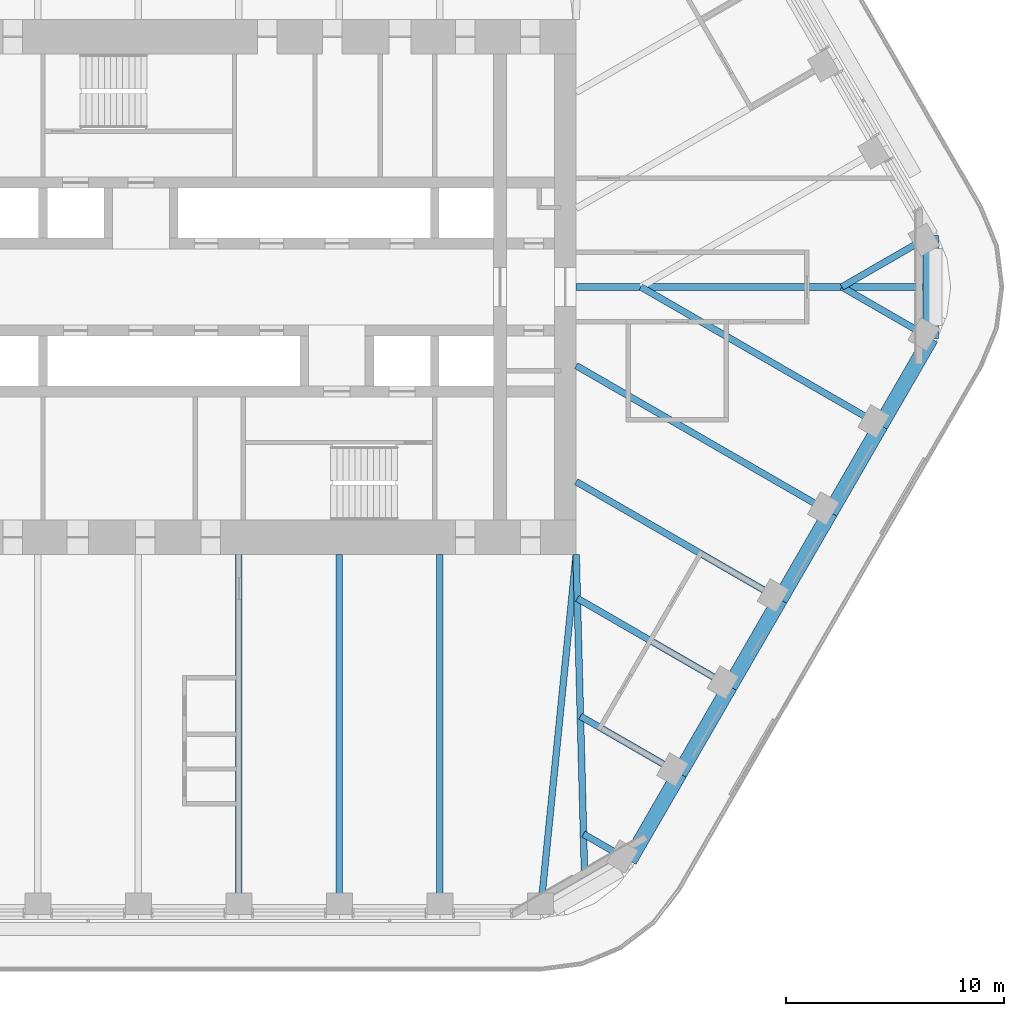
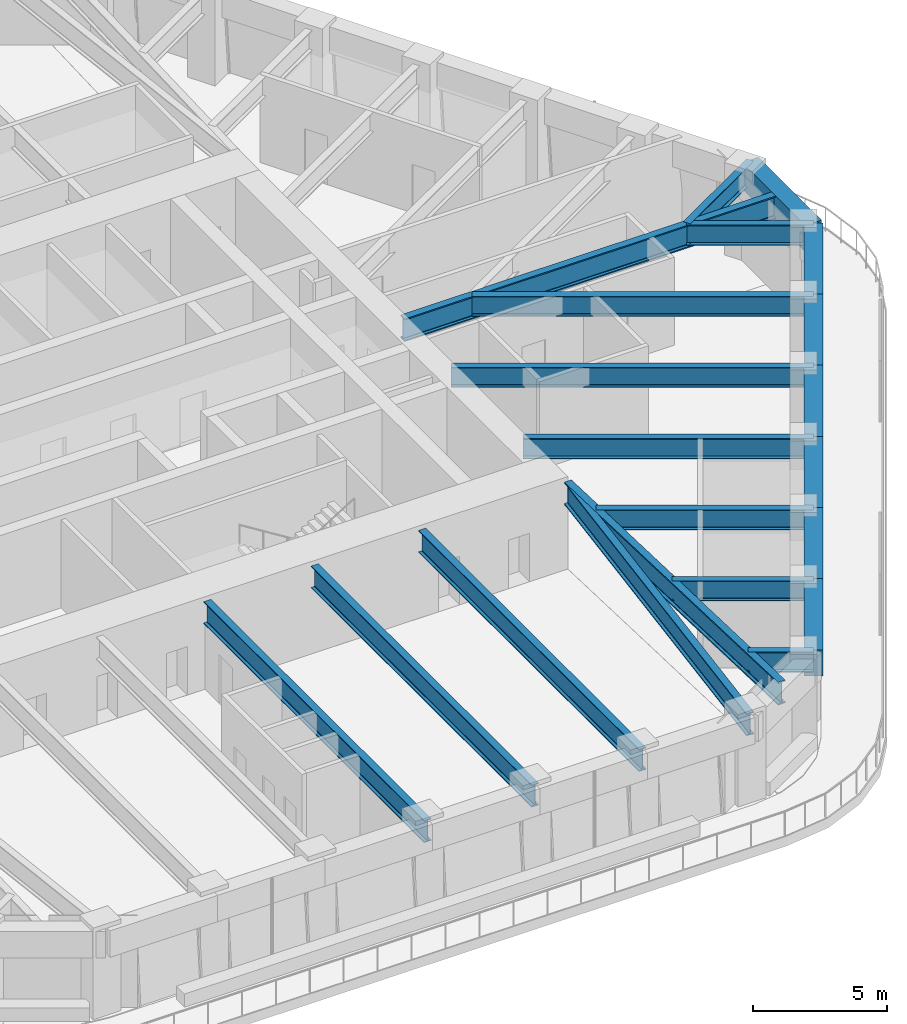
# One storey, part 5 of 20: 21 beams.
"""IFC4 building model written with IfcOpenShell, lengths in metres."""

import ifcopenshell
import ifcopenshell.guid

model = None  # the IFC model being written
_history = None  # IfcOwnerHistory: only IFC2X3 demands one
_inside = {}  # id of a spatial element -> (the spatial element, [elements in it])
_under = {}  # id of a project, library or spatial element -> (it, [spatial elements below it])
_declared = {}  # id of a project -> (the project, [libraries it declares])
_typed = {}  # id of a type object -> (the type object, [elements of that type])
_made_of = {}  # id of a material, layer set ... -> (it, [elements and type objects made of it])


def new_model(schema):
    """Start an empty IFC model of exactly this schema.

    Asked for "IFC4X3", IfcOpenShell would pick the latest addendum, in which some entities
    have other attributes; the version numbers below select the first issue.
    IFC2X3 requires an IfcOwnerHistory on every rooted entity: one is made here for all.
    """
    global model, _history
    if schema == "IFC4X3":
        model = ifcopenshell.file(schema_version=(4, 3, 0, 0))
    else:
        model = ifcopenshell.file(schema=schema)
    _inside.clear()
    _under.clear()
    _declared.clear()
    _typed.clear()
    _made_of.clear()
    _history = None
    if model.schema == "IFC2X3":
        org = make("IfcOrganization", Name="unknown")
        user = make(
            "IfcPersonAndOrganization",
            ThePerson=make("IfcPerson", FamilyName="unknown"),
            TheOrganization=org,
        )
        app = make(
            "IfcApplication",
            ApplicationDeveloper=org,
            Version="unknown",
            ApplicationFullName="unknown",
            ApplicationIdentifier="unknown",
        )
        _history = make(
            "IfcOwnerHistory",
            OwningUser=user,
            OwningApplication=app,
            ChangeAction="ADDED",
            CreationDate=0,
        )
    return model


def make(cls, **values):
    """One entity of the class cls with the attributes given. An attribute that is None is left unset."""
    return model.create_entity(
        cls, **{name: value for name, value in values.items() if value is not None}
    )


def rooted(cls, **values):
    """An entity with a GlobalId (a new one), such as an element, a storey or a relation."""
    return make(cls, GlobalId=ifcopenshell.guid.new(), OwnerHistory=_history, **values)


def si_unit(unit_type, name, prefix=None):
    """IfcSIUnit, for example si_unit("LENGTHUNIT", "METRE", prefix="MILLI")."""
    return make("IfcSIUnit", UnitType=unit_type, Prefix=prefix, Name=name)


def assignment(units):
    """IfcUnitAssignment: the units of a project."""
    return None if units is None else make("IfcUnitAssignment", Units=units)


def point(xyz):
    """IfcCartesianPoint."""
    return None if xyz is None else make("IfcCartesianPoint", Coordinates=xyz)


def direction(xyz):
    """IfcDirection."""
    return None if xyz is None else make("IfcDirection", DirectionRatios=xyz)


def frame(location, z_axis=None, x_axis=None):
    """IfcAxis2Placement3D, a coordinate frame: its origin and axes. An axis left out is left unset."""
    return make(
        "IfcAxis2Placement3D",
        Location=point(location),
        Axis=direction(z_axis),
        RefDirection=direction(x_axis),
    )


def frame_2d(location, x_axis=None):
    """IfcAxis2Placement2D, a coordinate frame in the plane: its origin and x axis."""
    return make(
        "IfcAxis2Placement2D", Location=point(location), RefDirection=direction(x_axis)
    )


def origin():
    """The frame at (0, 0, 0) with its axes left unset."""
    return frame((0.0, 0.0, 0.0))


def origin_2d():
    """The frame at (0, 0) in the plane with its x axis left unset."""
    return frame_2d((0.0, 0.0))


def place(relative_to, where):
    """IfcLocalPlacement: puts the frame where relative to a parent placement (None: the world)."""
    return make(
        "IfcLocalPlacement", PlacementRelTo=relative_to, RelativePlacement=where
    )


def context(
    kind, dimensions, precision=None, world=None, true_north=None, identifier=None
):
    """IfcGeometricRepresentationContext, for example the 3D "Model" context."""
    return make(
        "IfcGeometricRepresentationContext",
        ContextIdentifier=identifier,
        ContextType=kind,
        CoordinateSpaceDimension=dimensions,
        Precision=precision,
        WorldCoordinateSystem=world,
        TrueNorth=true_north,
    )


def subcontext(parent, identifier, kind, view, scale=None):
    """IfcGeometricRepresentationSubContext, for example "Body" below "Model"."""
    return make(
        "IfcGeometricRepresentationSubContext",
        ContextIdentifier=identifier,
        ContextType=kind,
        ParentContext=parent,
        TargetScale=scale,
        TargetView=view,
    )


def project(units=None, contexts=None):
    """IfcProject with its units and contexts."""
    return rooted(
        "IfcProject",
        Name="project",
        RepresentationContexts=contexts,
        UnitsInContext=assignment(units),
    )


def spatial(cls, under=None, at=None, **own):
    """A site, building, storey or space (cls), placed at a placement, below another one or the project."""
    s = rooted(cls, ObjectPlacement=at, **own)
    if under is not None:
        _under.setdefault(under.id(), (under, []))[1].append(s)
    return s


def profile(cls, at=None, kind="AREA", **sizes):
    """A parametric profile (cls). Its sizes go by their IFC names, for example OverallWidth=200.0."""
    return make(cls, ProfileType=kind, Position=at, **sizes)


def rectangle(**sizes):
    """IfcRectangleProfileDef."""
    return profile("IfcRectangleProfileDef", **sizes)


def i_section(**sizes):
    """IfcIShapeProfileDef."""
    return profile("IfcIShapeProfileDef", **sizes)


def extrude(swept, where, along, depth):
    """IfcExtrudedAreaSolid: the profile swept, set in the frame where, extruded along a direction by depth."""
    return make(
        "IfcExtrudedAreaSolid",
        SweptArea=swept,
        Position=where,
        ExtrudedDirection=direction(along),
        Depth=depth,
    )


def shape(context_of_items, identifier, shape_type, items):
    """IfcShapeRepresentation: the items that make up one representation, for example the "Body"."""
    return make(
        "IfcShapeRepresentation",
        ContextOfItems=context_of_items,
        RepresentationIdentifier=identifier,
        RepresentationType=shape_type,
        Items=items,
    )


def material(Name=None, Category=None):
    """IfcMaterial."""
    return make("IfcMaterial", Name=Name, Category=Category)


def material_profile(
    of_material, cross_section, Name=None, Category=None, Priority=None
):
    """IfcMaterialProfile: a cross section and its material."""
    return make(
        "IfcMaterialProfile",
        Name=Name,
        Material=of_material,
        Profile=cross_section,
        Priority=Priority,
        Category=Category,
    )


def profile_set(profiles, Name=None, composite=None):
    """IfcMaterialProfileSet."""
    return make(
        "IfcMaterialProfileSet",
        Name=Name,
        MaterialProfiles=profiles,
        CompositeProfile=composite,
    )


def made_of(thing, what):
    """Note that an element or type object is made of a material, layer set ...; save() writes the relation."""
    if what is not None:
        _made_of.setdefault(what.id(), (what, []))[1].append(thing)
    return thing


def type_object(cls, material=None, **own):
    """A type object (cls), such as IfcWallType, which elements share."""
    return made_of(rooted(cls, **own), material)


def element(
    cls,
    number,
    at=None,
    inside=None,
    cuts=None,
    type_object=None,
    material=None,
    context=None,
    identifier="Body",
    shape_type=None,
    held_by="IfcProductDefinitionShape",
    body=None,
    shapes=None,
    **own,
):
    """One element of the class cls, such as IfcWall. Its Tag is "e" and its number.

    at: its placement. inside: the storey or other place that contains it. cuts: it is an
    opening in that element (IfcRelVoidsElement). A single representation is given by context,
    identifier, shape_type and body (its items); several are given by shapes. held_by: the class
    of the entity that holds the representations. save() writes the other relations.
    """
    e = rooted(cls, Tag="e%d" % number, ObjectPlacement=at, **own)
    if body is not None:
        shapes = [shape(context, identifier, shape_type, body)]
    if shapes is not None:
        e.Representation = make(held_by, Representations=shapes)
    if inside is not None:
        _inside.setdefault(inside.id(), (inside, []))[1].append(e)
    if cuts is not None:
        rooted(
            "IfcRelVoidsElement", RelatingBuildingElement=cuts, RelatedOpeningElement=e
        )
    if type_object is not None:
        _typed.setdefault(type_object.id(), (type_object, []))[1].append(e)
    return made_of(e, material)


def aggregate(whole, parts):
    """IfcRelAggregates: a whole, such as a stair, and the parts it consists of."""
    return rooted("IfcRelAggregates", RelatingObject=whole, RelatedObjects=parts)


def save(model, path):
    """Write the relations noted so far, then the file.

    IfcRelAggregates (storeys below a building ...), IfcRelContainedInSpatialStructure (elements
    in a storey), IfcRelDefinesByType, IfcRelAssociatesMaterial and IfcRelDeclares: one each for
    every whole, place, type object, material and project.
    """
    for whole, parts in _under.values():
        aggregate(whole, parts)
    for where, things in _inside.values():
        rooted(
            "IfcRelContainedInSpatialStructure",
            RelatedElements=things,
            RelatingStructure=where,
        )
    for kind, things in _typed.values():
        rooted("IfcRelDefinesByType", RelatedObjects=things, RelatingType=kind)
    for what, things in _made_of.values():
        rooted("IfcRelAssociatesMaterial", RelatedObjects=things, RelatingMaterial=what)
    for by, libraries in _declared.values():
        rooted("IfcRelDeclares", RelatingContext=by, RelatedDefinitions=libraries)
    model.write(path)


model = new_model("IFC4")

# Units and contexts
model_context = context("Model", 3, precision=1e-05, world=origin(), true_north=direction((0.0, 1.0)))
body_context = subcontext(model_context, "Body", "Model", "MODEL_VIEW")
ifc_project = project(units=[si_unit("LENGTHUNIT", "METRE"), si_unit("AREAUNIT", "SQUARE_METRE"), si_unit("VOLUMEUNIT", "CUBIC_METRE"), si_unit("PLANEANGLEUNIT", "RADIAN"), si_unit("MASSUNIT", "GRAM", prefix="KILO")], contexts=[model_context])

# Site, building, storey
site_placement = place(None, origin())
site = spatial("IfcSite", under=ifc_project, at=site_placement, CompositionType="ELEMENT")
building_placement = place(site_placement, origin())
building = spatial("IfcBuilding", under=site, at=building_placement, Name="Tarfa Lantern Tower", CompositionType="ELEMENT")
storey_placement = place(building_placement, frame((0.0, 0.0, 274.300048828125)))
storey = spatial("IfcBuildingStorey", under=building, at=storey_placement, Name="L62", CompositionType="ELEMENT", Elevation=274.300048828125)

# Beams
ifc_material_1 = material(Name="Concrete C80/95", Category="concrete")
ifc_material_profile_1 = material_profile(ifc_material_1, rectangle(XDim=0.699951171875, YDim=1.199951171875, at=origin_2d()), Name="RC 700x1200")
ifc_profile_set_1 = profile_set([ifc_material_profile_1], Name="Concrete C80/95")
beam_type_1 = type_object("IfcBeamType", Name="EB3 RC 700x1200", PredefinedType="SPANDREL", material=ifc_profile_set_1)
for number, where, z_axis, x_axis, name in (
    (1, (17.944091796875, -26.360107421875, 3.39990234375), (0.499987836815, 0.866032426089, 0.0), (-0.866032426089, 0.499987836815, 0.0), "Edge beam SE0"),
    (2, (20.25341796875, -22.360107421875, 3.39990234375), (0.499987836815, 0.866032426089, 0.0), (-0.866032426089, 0.499987836815, 0.0), "Edge beam SE1"),
):
    element("IfcBeam", number, at=place(storey_placement, frame(where, z_axis=z_axis, x_axis=x_axis)), inside=storey, type_object=beam_type_1, Name=name, PredefinedType="SPANDREL", context=body_context, shape_type="SweptSolid", body=[
        extrude(rectangle(XDim=0.699951171875, YDim=1.199951171875, at=origin_2d()), origin(), (0.0, 0.0, 1.0), 4.61865234375),
    ])
beam_1_placement = place(storey_placement, frame((22.562744140625, -18.360107421875, 3.39990234375), z_axis=(0.500027479704, 0.866009537788, 0.0), x_axis=(-0.866009537788, 0.500027479704, 0.0)))
element("IfcBeam", 3, at=beam_1_placement, inside=storey, type_object=beam_type_1, Name="Edge beam SE2", PredefinedType="SPANDREL", context=body_context, shape_type="SweptSolid", body=[
    extrude(rectangle(XDim=0.699951171875, YDim=1.199951171875, at=origin_2d()), origin(), (0.0, 0.0, 1.0), 4.618896484375),
])
for number, where, z_axis, x_axis, name in (
    (4, (24.872314453125, -14.360107421875, 3.39990234375), (0.499987836815, 0.866032426089, 0.0), (-0.866032426089, 0.499987836815, 0.0), "Edge beam SE3"),
    (5, (27.181640625, -10.360107421875, 3.39990234375), (0.499987836815, 0.866032426089, 0.0), (-0.866032426089, 0.499987836815, 0.0), "Edge beam SE4"),
):
    element("IfcBeam", number, at=place(storey_placement, frame(where, z_axis=z_axis, x_axis=x_axis)), inside=storey, type_object=beam_type_1, Name=name, PredefinedType="SPANDREL", context=body_context, shape_type="SweptSolid", body=[
        extrude(rectangle(XDim=0.699951171875, YDim=1.199951171875, at=origin_2d()), origin(), (0.0, 0.0, 1.0), 4.61865234375),
    ])
beam_2_placement = place(storey_placement, frame((29.490966796875, -6.360107421875, 3.39990234375), z_axis=(0.500027479704, 0.866009537788, 0.0), x_axis=(-0.866009537788, 0.500027479704, 0.0)))
element("IfcBeam", 6, at=beam_2_placement, inside=storey, type_object=beam_type_1, Name="Edge beam SE5", PredefinedType="SPANDREL", context=body_context, shape_type="SweptSolid", body=[
    extrude(rectangle(XDim=0.699951171875, YDim=1.199951171875, at=origin_2d()), origin(), (0.0, 0.0, 1.0), 4.618896484375),
])
beam_3_placement = place(storey_placement, frame((31.800537109375, -2.360107421875, 3.39990234375), z_axis=(0.0, 1.0, 0.0), x_axis=(-1.0, 0.0, 0.0)))
element("IfcBeam", 7, at=beam_3_placement, inside=storey, type_object=beam_type_1, Name="Edge beam SE6", PredefinedType="SPANDREL", context=body_context, shape_type="SweptSolid", body=[
    extrude(rectangle(XDim=0.699951171875, YDim=1.199951171875, at=origin_2d()), origin(), (0.0, 0.0, 1.0), 4.72021484375),
])
ifc_material_2 = material(Name="Steel S460M", Category="steel")
ifc_material_profile_2 = material_profile(ifc_material_2, i_section(OverallWidth=0.302001953125, OverallDepth=1.008056640625, WebThickness=0.02099609375, FlangeThickness=0.0400390625, FilletRadius=0.030029296875, at=origin_2d()), Name="UB1016x305x349")
ifc_profile_set_2 = profile_set([ifc_material_profile_2], Name="Steel S460M")
beam_type_2 = type_object("IfcBeamType", Name="UB1016x305x349", PredefinedType="BEAM", material=ifc_profile_set_2)
for number, where, z_axis, x_axis, name in (
    (8, (0.0, -28.719970703125, 3.495849609375), (0.0, 1.0, 0.0), (-1.0, 0.0, 0.0), "Floor beam S3"),
    (9, (4.618896484375, -28.719970703125, 3.495849609375), (0.0, 1.0, 0.0), (-1.0, 0.0, 0.0), "Floor beam S4"),
    (10, (9.237548828125, -28.719970703125, 3.495849609375), (0.0, 1.0, 0.0), (-1.0, 0.0, 0.0), "Floor beam S5"),
):
    element("IfcBeam", number, at=place(storey_placement, frame(where, z_axis=z_axis, x_axis=x_axis)), inside=storey, type_object=beam_type_2, Name=name, PredefinedType="BEAM", context=body_context, shape_type="SweptSolid", body=[
        extrude(i_section(OverallWidth=0.302001953125, OverallDepth=1.008056640625, WebThickness=0.02099609375, FlangeThickness=0.0400390625, FilletRadius=0.030029296875, at=origin_2d()), origin(), (0.0, 0.0, 1.0), 16.419921875),
    ])
beam_4_placement = place(storey_placement, frame((13.8564453125, -28.719970703125, 3.495849609375), z_axis=(0.099597466746, 0.995027810977, 0.0), x_axis=(-0.995027810977, 0.099597466746, 0.0)))
element("IfcBeam", 11, at=beam_4_placement, inside=storey, type_object=beam_type_2, Name="Floor beam S6", PredefinedType="BEAM", context=body_context, shape_type="SweptSolid", body=[
    extrude(i_section(OverallWidth=0.302001953125, OverallDepth=1.008056640625, WebThickness=0.02099609375, FlangeThickness=0.0400390625, FilletRadius=0.030029296875, at=origin_2d()), origin(), (0.0, 0.0, 1.0), 16.501953125),
])
ifc_material_profile_3 = material_profile(ifc_material_2, i_section(OverallWidth=0.30859375, OverallDepth=1.036376953125, WebThickness=0.030029296875, FlangeThickness=0.05419921875, FilletRadius=0.030029296875, at=origin_2d()), Name="UB1016x305x487")
ifc_profile_set_3 = profile_set([ifc_material_profile_3], Name="Steel S460M")
beam_type_3 = type_object("IfcBeamType", Name="UB1016x305x487", PredefinedType="BEAM", material=ifc_profile_set_3)
beam_5_placement = place(storey_placement, frame((15.5, 0.0, 3.481689453125), z_axis=(1.0, 0.0, 0.0), x_axis=(0.0, 1.0, 0.0)))
element("IfcBeam", 12, at=beam_5_placement, inside=storey, type_object=beam_type_3, Name="Hip girder E", PredefinedType="BEAM", context=body_context, shape_type="SweptSolid", body=[
    extrude(i_section(OverallWidth=0.30859375, OverallDepth=1.036376953125, WebThickness=0.030029296875, FlangeThickness=0.05419921875, FilletRadius=0.030029296875, at=origin_2d()), origin(), (0.0, 0.0, 1.0), 16.300537109375),
])
beam_6_placement = place(storey_placement, frame((15.5, -12.300048828125, 3.481689453125), z_axis=(0.026247301989, -0.999655480222, 0.0), x_axis=(0.999655480222, 0.026247301989, 0.0)))
element("IfcBeam", 13, at=beam_6_placement, inside=storey, type_object=beam_type_3, Name="Hip girder SE", PredefinedType="BEAM", context=body_context, shape_type="SweptSolid", body=[
    extrude(i_section(OverallWidth=0.30859375, OverallDepth=1.036376953125, WebThickness=0.030029296875, FlangeThickness=0.05419921875, FilletRadius=0.030029296875, at=origin_2d()), origin(), (0.0, 0.0, 1.0), 15.245361328125),
])
ifc_material_profile_4 = material_profile(ifc_material_2, i_section(OverallWidth=0.305419921875, OverallDepth=0.91845703125, WebThickness=0.017333984375, FlangeThickness=0.02783203125, FilletRadius=0.01904296875, at=origin_2d()), Name="UB914x305x253")
ifc_profile_set_4 = profile_set([ifc_material_profile_4], Name="Steel S460M")
beam_type_4 = type_object("IfcBeamType", Name="UB914x305x253", PredefinedType="BEAM", material=ifc_profile_set_4)
beam_7_placement = place(storey_placement, frame((31.800537109375, 2.360107421875, 3.540771484375), z_axis=(-0.866015897305, -0.500016465344, 0.0), x_axis=(0.500016465344, -0.866015897305, 0.0)))
element("IfcBeam", 14, at=beam_7_placement, inside=storey, type_object=beam_type_4, Name="Floor beam NE0", PredefinedType="BEAM", context=body_context, shape_type="SweptSolid", body=[
    extrude(i_section(OverallWidth=0.305419921875, OverallDepth=0.91845703125, WebThickness=0.017333984375, FlangeThickness=0.02783203125, FilletRadius=0.01904296875, at=origin_2d()), origin(), (0.0, 0.0, 1.0), 4.719970703125),
])
beam_8_placement = place(storey_placement, frame((17.944091796875, -26.360107421875, 3.540771484375), z_axis=(-0.865980009423, 0.5000786171, 0.0), x_axis=(-0.5000786171, -0.865980009423, 0.0)))
element("IfcBeam", 15, at=beam_8_placement, inside=storey, type_object=beam_type_4, Name="Floor beam SE0", PredefinedType="BEAM", context=body_context, shape_type="SweptSolid", body=[
    extrude(i_section(OverallWidth=0.305419921875, OverallDepth=0.91845703125, WebThickness=0.017333984375, FlangeThickness=0.02783203125, FilletRadius=0.01904296875, at=origin_2d()), origin(), (0.0, 0.0, 1.0), 2.4326171875),
])
beam_9_placement = place(storey_placement, frame((20.25341796875, -22.360107421875, 3.540771484375), z_axis=(-0.86601951648, 0.500010196972, 0.0), x_axis=(-0.500010196972, -0.86601951648, 0.0)))
element("IfcBeam", 16, at=beam_9_placement, inside=storey, type_object=beam_type_4, Name="Floor beam SE1", PredefinedType="BEAM", context=body_context, shape_type="SweptSolid", body=[
    extrude(i_section(OverallWidth=0.305419921875, OverallDepth=0.91845703125, WebThickness=0.017333984375, FlangeThickness=0.02783203125, FilletRadius=0.01904296875, at=origin_2d()), origin(), (0.0, 0.0, 1.0), 5.263671875),
])
beam_10_placement = place(storey_placement, frame((22.562744140625, -18.360107421875, 3.540771484375), z_axis=(-0.866010787764, 0.500025314835, 0.0), x_axis=(-0.500025314835, -0.866010787764, 0.0)))
element("IfcBeam", 17, at=beam_10_placement, inside=storey, type_object=beam_type_4, Name="Floor beam SE2", PredefinedType="BEAM", context=body_context, shape_type="SweptSolid", body=[
    extrude(i_section(OverallWidth=0.305419921875, OverallDepth=0.91845703125, WebThickness=0.017333984375, FlangeThickness=0.02783203125, FilletRadius=0.01904296875, at=origin_2d()), origin(), (0.0, 0.0, 1.0), 8.09423828125),
])
beam_11_placement = place(storey_placement, frame((24.872314453125, -14.360107421875, 3.540771484375), z_axis=(-0.8660244219, 0.500001700669, 0.0), x_axis=(-0.500001700669, -0.8660244219, 0.0)))
element("IfcBeam", 18, at=beam_11_placement, inside=storey, type_object=beam_type_4, Name="Floor beam SE3", PredefinedType="BEAM", context=body_context, shape_type="SweptSolid", body=[
    extrude(i_section(OverallWidth=0.305419921875, OverallDepth=0.91845703125, WebThickness=0.017333984375, FlangeThickness=0.02783203125, FilletRadius=0.01904296875, at=origin_2d()), origin(), (0.0, 0.0, 1.0), 10.822265625),
])
beam_12_placement = place(storey_placement, frame((27.181640625, -10.360107421875, 3.540771484375), z_axis=(-0.866018002818, 0.500012818631, 0.0), x_axis=(-0.500012818631, -0.866018002818, 0.0)))
element("IfcBeam", 19, at=beam_12_placement, inside=storey, type_object=beam_type_4, Name="Floor beam SE4", PredefinedType="BEAM", context=body_context, shape_type="SweptSolid", body=[
    extrude(i_section(OverallWidth=0.305419921875, OverallDepth=0.91845703125, WebThickness=0.017333984375, FlangeThickness=0.02783203125, FilletRadius=0.01904296875, at=origin_2d()), origin(), (0.0, 0.0, 1.0), 13.489013671875),
])
beam_13_placement = place(storey_placement, frame((29.490966796875, -6.360107421875, 3.540771484375), z_axis=(-0.866022258038, 0.500005448553, 0.0), x_axis=(-0.500005448553, -0.866022258038, 0.0)))
element("IfcBeam", 20, at=beam_13_placement, inside=storey, type_object=beam_type_4, Name="Floor beam SE5", PredefinedType="BEAM", context=body_context, shape_type="SweptSolid", body=[
    extrude(i_section(OverallWidth=0.305419921875, OverallDepth=0.91845703125, WebThickness=0.017333984375, FlangeThickness=0.02783203125, FilletRadius=0.01904296875, at=origin_2d()), origin(), (0.0, 0.0, 1.0), 12.719970703125),
])
beam_14_placement = place(storey_placement, frame((31.800537109375, -2.360107421875, 3.540771484375), z_axis=(-0.866015897305, 0.500016465344, 0.0), x_axis=(-0.500016465344, -0.866015897305, 0.0)))
element("IfcBeam", 21, at=beam_14_placement, inside=storey, type_object=beam_type_4, Name="Floor beam SE6", PredefinedType="BEAM", context=body_context, shape_type="SweptSolid", body=[
    extrude(i_section(OverallWidth=0.305419921875, OverallDepth=0.91845703125, WebThickness=0.017333984375, FlangeThickness=0.02783203125, FilletRadius=0.01904296875, at=origin_2d()), origin(), (0.0, 0.0, 1.0), 4.719970703125),
])

save(model, "model.ifc")
